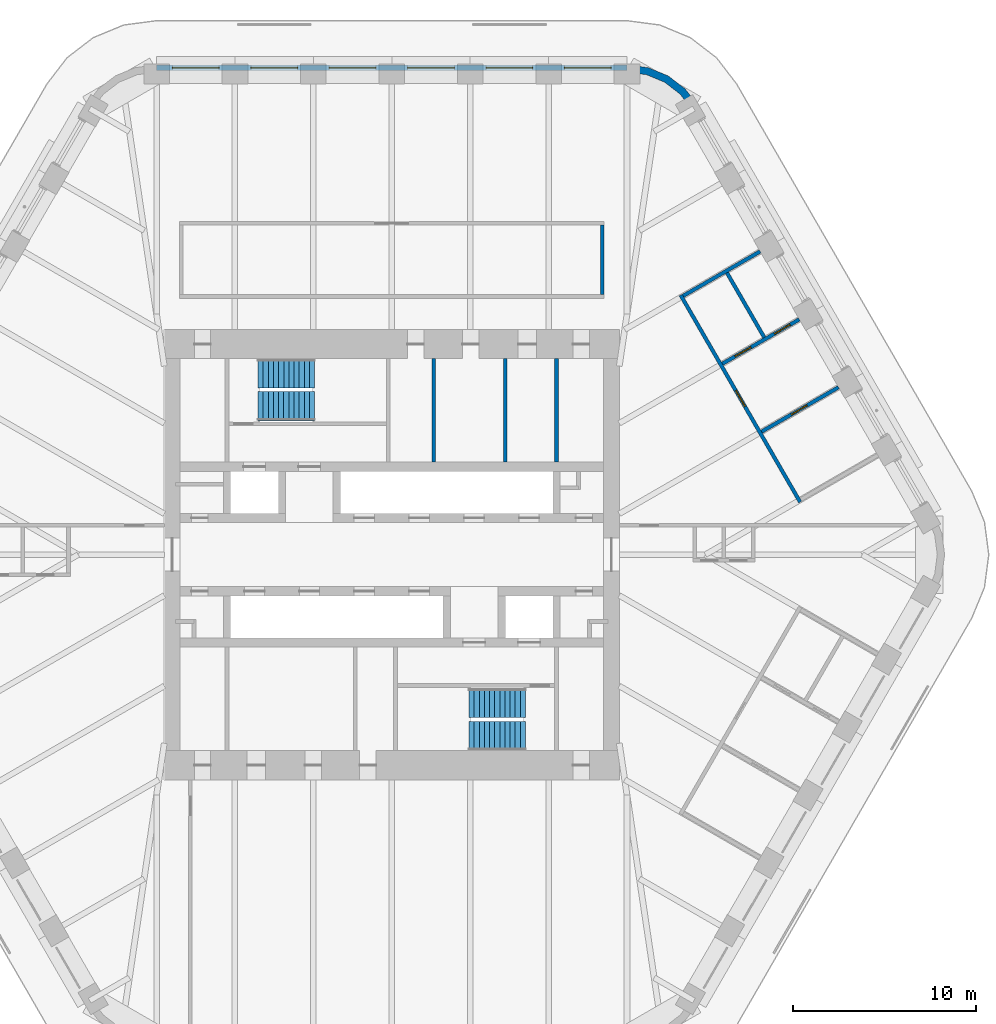
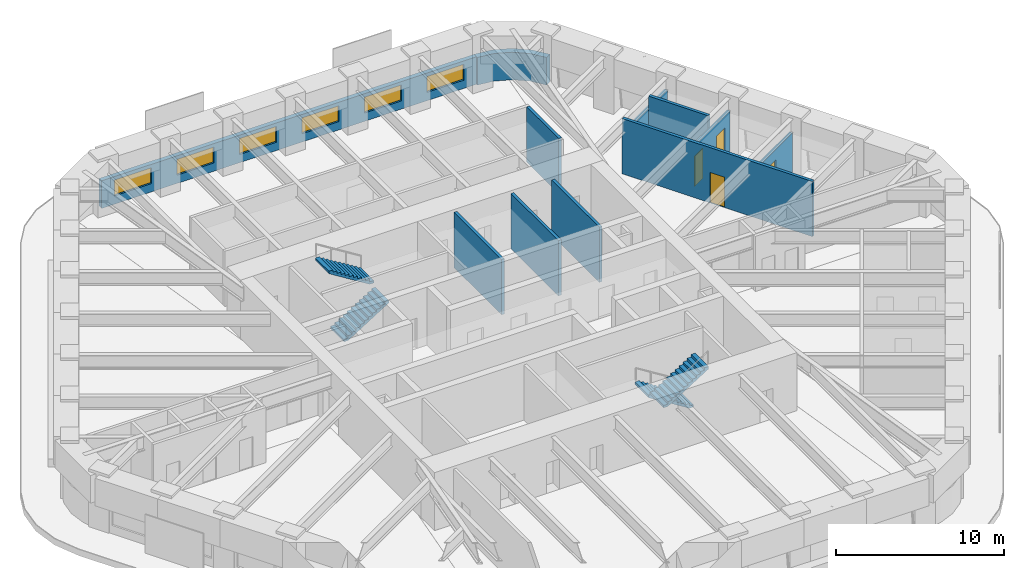
# One storey, part 16 of 18: 11 walls, 6 windows, 4 doors, 4 stair flights, 10 openings, 2 elements without a shape of their own.
"""IFC4 building model written with IfcOpenShell, lengths in metres."""

import ifcopenshell
import ifcopenshell.guid

model = None  # the IFC model being written
_history = None  # IfcOwnerHistory: only IFC2X3 demands one
_inside = {}  # id of a spatial element -> (the spatial element, [elements in it])
_under = {}  # id of a project, library or spatial element -> (it, [spatial elements below it])
_declared = {}  # id of a project -> (the project, [libraries it declares])
_typed = {}  # id of a type object -> (the type object, [elements of that type])
_made_of = {}  # id of a material, layer set ... -> (it, [elements and type objects made of it])


def new_model(schema):
    """Start an empty IFC model of exactly this schema.

    Asked for "IFC4X3", IfcOpenShell would pick the latest addendum, in which some entities
    have other attributes; the version numbers below select the first issue.
    IFC2X3 requires an IfcOwnerHistory on every rooted entity: one is made here for all.
    """
    global model, _history
    if schema == "IFC4X3":
        model = ifcopenshell.file(schema_version=(4, 3, 0, 0))
    else:
        model = ifcopenshell.file(schema=schema)
    _inside.clear()
    _under.clear()
    _declared.clear()
    _typed.clear()
    _made_of.clear()
    _history = None
    if model.schema == "IFC2X3":
        org = make("IfcOrganization", Name="unknown")
        user = make(
            "IfcPersonAndOrganization",
            ThePerson=make("IfcPerson", FamilyName="unknown"),
            TheOrganization=org,
        )
        app = make(
            "IfcApplication",
            ApplicationDeveloper=org,
            Version="unknown",
            ApplicationFullName="unknown",
            ApplicationIdentifier="unknown",
        )
        _history = make(
            "IfcOwnerHistory",
            OwningUser=user,
            OwningApplication=app,
            ChangeAction="ADDED",
            CreationDate=0,
        )
    return model


def make(cls, **values):
    """One entity of the class cls with the attributes given. An attribute that is None is left unset."""
    return model.create_entity(
        cls, **{name: value for name, value in values.items() if value is not None}
    )


def rooted(cls, **values):
    """An entity with a GlobalId (a new one), such as an element, a storey or a relation."""
    return make(cls, GlobalId=ifcopenshell.guid.new(), OwnerHistory=_history, **values)


def si_unit(unit_type, name, prefix=None):
    """IfcSIUnit, for example si_unit("LENGTHUNIT", "METRE", prefix="MILLI")."""
    return make("IfcSIUnit", UnitType=unit_type, Prefix=prefix, Name=name)


def assignment(units):
    """IfcUnitAssignment: the units of a project."""
    return None if units is None else make("IfcUnitAssignment", Units=units)


def point(xyz):
    """IfcCartesianPoint."""
    return None if xyz is None else make("IfcCartesianPoint", Coordinates=xyz)


def direction(xyz):
    """IfcDirection."""
    return None if xyz is None else make("IfcDirection", DirectionRatios=xyz)


def frame(location, z_axis=None, x_axis=None):
    """IfcAxis2Placement3D, a coordinate frame: its origin and axes. An axis left out is left unset."""
    return make(
        "IfcAxis2Placement3D",
        Location=point(location),
        Axis=direction(z_axis),
        RefDirection=direction(x_axis),
    )


def frame_2d(location, x_axis=None):
    """IfcAxis2Placement2D, a coordinate frame in the plane: its origin and x axis."""
    return make(
        "IfcAxis2Placement2D", Location=point(location), RefDirection=direction(x_axis)
    )


def origin():
    """The frame at (0, 0, 0) with its axes left unset."""
    return frame((0.0, 0.0, 0.0))


def place(relative_to, where):
    """IfcLocalPlacement: puts the frame where relative to a parent placement (None: the world)."""
    return make(
        "IfcLocalPlacement", PlacementRelTo=relative_to, RelativePlacement=where
    )


def context(
    kind, dimensions, precision=None, world=None, true_north=None, identifier=None
):
    """IfcGeometricRepresentationContext, for example the 3D "Model" context."""
    return make(
        "IfcGeometricRepresentationContext",
        ContextIdentifier=identifier,
        ContextType=kind,
        CoordinateSpaceDimension=dimensions,
        Precision=precision,
        WorldCoordinateSystem=world,
        TrueNorth=true_north,
    )


def subcontext(parent, identifier, kind, view, scale=None):
    """IfcGeometricRepresentationSubContext, for example "Body" below "Model"."""
    return make(
        "IfcGeometricRepresentationSubContext",
        ContextIdentifier=identifier,
        ContextType=kind,
        ParentContext=parent,
        TargetScale=scale,
        TargetView=view,
    )


def project(units=None, contexts=None):
    """IfcProject with its units and contexts."""
    return rooted(
        "IfcProject",
        Name="project",
        RepresentationContexts=contexts,
        UnitsInContext=assignment(units),
    )


def spatial(cls, under=None, at=None, **own):
    """A site, building, storey or space (cls), placed at a placement, below another one or the project."""
    s = rooted(cls, ObjectPlacement=at, **own)
    if under is not None:
        _under.setdefault(under.id(), (under, []))[1].append(s)
    return s


def polyline(points):
    """IfcPolyline through the points."""
    return make("IfcPolyline", Points=[point(p) for p in points])


def profile(cls, at=None, kind="AREA", **sizes):
    """A parametric profile (cls). Its sizes go by their IFC names, for example OverallWidth=200.0."""
    return make(cls, ProfileType=kind, Position=at, **sizes)


def rectangle(**sizes):
    """IfcRectangleProfileDef."""
    return profile("IfcRectangleProfileDef", **sizes)


def outline(outer, holes=None, kind="AREA"):
    """IfcArbitraryClosedProfileDef: a profile drawn as a closed curve; with holes, ...WithVoids."""
    if holes is None:
        return make("IfcArbitraryClosedProfileDef", ProfileType=kind, OuterCurve=outer)
    return make(
        "IfcArbitraryProfileDefWithVoids",
        ProfileType=kind,
        OuterCurve=outer,
        InnerCurves=holes,
    )


def extrude(swept, where, along, depth):
    """IfcExtrudedAreaSolid: the profile swept, set in the frame where, extruded along a direction by depth."""
    return make(
        "IfcExtrudedAreaSolid",
        SweptArea=swept,
        Position=where,
        ExtrudedDirection=direction(along),
        Depth=depth,
    )


def shape(context_of_items, identifier, shape_type, items):
    """IfcShapeRepresentation: the items that make up one representation, for example the "Body"."""
    return make(
        "IfcShapeRepresentation",
        ContextOfItems=context_of_items,
        RepresentationIdentifier=identifier,
        RepresentationType=shape_type,
        Items=items,
    )


def material(Name=None, Category=None):
    """IfcMaterial."""
    return make("IfcMaterial", Name=Name, Category=Category)


def layer(
    of_material, thickness, ventilated=None, Name=None, Category=None, Priority=None
):
    """IfcMaterialLayer: one layer of a wall or slab, of a material (None: an air gap)."""
    return make(
        "IfcMaterialLayer",
        Material=of_material,
        LayerThickness=thickness,
        IsVentilated=ventilated,
        Name=Name,
        Category=Category,
        Priority=Priority,
    )


def layer_set(layers, Name=None):
    """IfcMaterialLayerSet."""
    return make("IfcMaterialLayerSet", MaterialLayers=layers, LayerSetName=Name)


def made_of(thing, what):
    """Note that an element or type object is made of a material, layer set ...; save() writes the relation."""
    if what is not None:
        _made_of.setdefault(what.id(), (what, []))[1].append(thing)
    return thing


def type_object(cls, material=None, **own):
    """A type object (cls), such as IfcWallType, which elements share."""
    return made_of(rooted(cls, **own), material)


def element(
    cls,
    number,
    at=None,
    inside=None,
    cuts=None,
    type_object=None,
    material=None,
    context=None,
    identifier="Body",
    shape_type=None,
    held_by="IfcProductDefinitionShape",
    body=None,
    shapes=None,
    **own,
):
    """One element of the class cls, such as IfcWall. Its Tag is "e" and its number.

    at: its placement. inside: the storey or other place that contains it. cuts: it is an
    opening in that element (IfcRelVoidsElement). A single representation is given by context,
    identifier, shape_type and body (its items); several are given by shapes. held_by: the class
    of the entity that holds the representations. save() writes the other relations.
    """
    e = rooted(cls, Tag="e%d" % number, ObjectPlacement=at, **own)
    if body is not None:
        shapes = [shape(context, identifier, shape_type, body)]
    if shapes is not None:
        e.Representation = make(held_by, Representations=shapes)
    if inside is not None:
        _inside.setdefault(inside.id(), (inside, []))[1].append(e)
    if cuts is not None:
        rooted(
            "IfcRelVoidsElement", RelatingBuildingElement=cuts, RelatedOpeningElement=e
        )
    if type_object is not None:
        _typed.setdefault(type_object.id(), (type_object, []))[1].append(e)
    return made_of(e, material)


def fill(opening, filler):
    """IfcRelFillsElement: the door or window that sits in an opening."""
    return rooted(
        "IfcRelFillsElement",
        RelatingOpeningElement=opening,
        RelatedBuildingElement=filler,
    )


def aggregate(whole, parts):
    """IfcRelAggregates: a whole, such as a stair, and the parts it consists of."""
    return rooted("IfcRelAggregates", RelatingObject=whole, RelatedObjects=parts)


def save(model, path):
    """Write the relations noted so far, then the file.

    IfcRelAggregates (storeys below a building ...), IfcRelContainedInSpatialStructure (elements
    in a storey), IfcRelDefinesByType, IfcRelAssociatesMaterial and IfcRelDeclares: one each for
    every whole, place, type object, material and project.
    """
    for whole, parts in _under.values():
        aggregate(whole, parts)
    for where, things in _inside.values():
        rooted(
            "IfcRelContainedInSpatialStructure",
            RelatedElements=things,
            RelatingStructure=where,
        )
    for kind, things in _typed.values():
        rooted("IfcRelDefinesByType", RelatedObjects=things, RelatingType=kind)
    for what, things in _made_of.values():
        rooted("IfcRelAssociatesMaterial", RelatedObjects=things, RelatingMaterial=what)
    for by, libraries in _declared.values():
        rooted("IfcRelDeclares", RelatingContext=by, RelatedDefinitions=libraries)
    model.write(path)


model = new_model("IFC4")

# Units and contexts
model_context = context("Model", 3, precision=1e-05, world=origin(), true_north=direction((0.0, 1.0)))
body_context = subcontext(model_context, "Body", "Model", "MODEL_VIEW")
ifc_project = project(units=[si_unit("LENGTHUNIT", "METRE"), si_unit("AREAUNIT", "SQUARE_METRE"), si_unit("VOLUMEUNIT", "CUBIC_METRE"), si_unit("PLANEANGLEUNIT", "RADIAN"), si_unit("MASSUNIT", "GRAM", prefix="KILO")], contexts=[model_context])

# Site, building, storey
site_placement = place(None, origin())
site = spatial("IfcSite", under=ifc_project, at=site_placement, CompositionType="ELEMENT")
building_placement = place(site_placement, origin())
building = spatial("IfcBuilding", under=site, at=building_placement, Name="Tarfa Lantern Tower", CompositionType="ELEMENT")
storey_placement = place(building_placement, frame((0.0, 0.0, 315.699951171875)))
storey = spatial("IfcBuildingStorey", under=building, at=storey_placement, Name="L71", CompositionType="ELEMENT", Elevation=315.699951171875)

# Wall, openings, windows
ifc_material_1 = material(Name="Limestone cladding on blockwork", Category="masonry")
ifc_layer_1 = layer(ifc_material_1, 0.300048828125)
ifc_layer_set_1 = layer_set([ifc_layer_1], Name="EW1 STONE-CLAD WALL 300")
wall_type_1 = type_object("IfcWallType", Name="EW1 STONE-CLAD WALL 300", PredefinedType="SOLIDWALL", material=ifc_layer_set_1)
wall_1_placement = place(storey_placement, frame((12.845947265625, 26.60009765625, 0.0), z_axis=(0.0, 0.0, 1.0), x_axis=(-1.0, 0.0, 0.0)))
wall_1 = element("IfcWall", 1, at=wall_1_placement, inside=storey, type_object=wall_type_1, Name="Stone wall N", PredefinedType="SOLIDWALL", context=body_context, shape_type="SweptSolid", body=[
    extrude(rectangle(XDim=25.69189453125, YDim=0.300048828125, at=frame_2d((12.845947265625, 0.0))), origin(), (0.0, 0.0, 1.0), 2.0),
])
opening_1_placement = place(wall_1_placement, frame((0.865966796875, 0.0, 0.60009765625)))
opening_1 = element("IfcOpeningElement", 2, at=opening_1_placement, cuts=wall_1, Name="Opening W16", PredefinedType="OPENING", context=body_context, shape_type="SweptSolid", body=[
    extrude(rectangle(XDim=2.550048828125, YDim=1.14990234375, at=frame_2d((1.27490234375, 0.574951171875))), frame((0.0, 0.159912109375, 0.0), z_axis=(0.0, -1.0, 0.0), x_axis=(1.0, 0.0, 0.0)), (0.0, 0.0, 1.0), 0.320068359375),
])
opening_2_placement = place(wall_1_placement, frame((5.14794921875, 0.0, 0.60009765625)))
opening_2 = element("IfcOpeningElement", 3, at=opening_2_placement, cuts=wall_1, Name="Opening W16", PredefinedType="OPENING", context=body_context, shape_type="SweptSolid", body=[
    extrude(rectangle(XDim=2.550048828125, YDim=1.14990234375, at=frame_2d((1.27490234375, 0.574951171875))), frame((0.0, 0.159912109375, 0.0), z_axis=(0.0, -1.0, 0.0), x_axis=(1.0, 0.0, 0.0)), (0.0, 0.0, 1.0), 0.320068359375),
])
opening_3_placement = place(wall_1_placement, frame((9.429931640625, 0.0, 0.60009765625)))
opening_3 = element("IfcOpeningElement", 4, at=opening_3_placement, cuts=wall_1, Name="Opening W16", PredefinedType="OPENING", context=body_context, shape_type="SweptSolid", body=[
    extrude(rectangle(XDim=2.550048828125, YDim=1.14990234375, at=frame_2d((1.27490234375, 0.574951171875))), frame((0.0, 0.159912109375, 0.0), z_axis=(0.0, -1.0, 0.0), x_axis=(1.0, 0.0, 0.0)), (0.0, 0.0, 1.0), 0.320068359375),
])
opening_4_placement = place(wall_1_placement, frame((13.712158203125, 0.0, 0.60009765625)))
opening_4 = element("IfcOpeningElement", 5, at=opening_4_placement, cuts=wall_1, Name="Opening W16", PredefinedType="OPENING", context=body_context, shape_type="SweptSolid", body=[
    extrude(rectangle(XDim=2.550048828125, YDim=1.14990234375, at=frame_2d((1.27490234375, 0.574951171875))), frame((0.0, 0.159912109375, 0.0), z_axis=(0.0, -1.0, 0.0), x_axis=(1.0, 0.0, 0.0)), (0.0, 0.0, 1.0), 0.320068359375),
])
opening_5_placement = place(wall_1_placement, frame((17.994140625, 0.0, 0.60009765625)))
opening_5 = element("IfcOpeningElement", 6, at=opening_5_placement, cuts=wall_1, Name="Opening W16", PredefinedType="OPENING", context=body_context, shape_type="SweptSolid", body=[
    extrude(rectangle(XDim=2.550048828125, YDim=1.14990234375, at=frame_2d((1.27490234375, 0.574951171875))), frame((0.0, 0.159912109375, 0.0), z_axis=(0.0, -1.0, 0.0), x_axis=(1.0, 0.0, 0.0)), (0.0, 0.0, 1.0), 0.320068359375),
])
opening_6_placement = place(wall_1_placement, frame((22.276123046875, 0.0, 0.60009765625)))
opening_6 = element("IfcOpeningElement", 7, at=opening_6_placement, cuts=wall_1, Name="Opening W16", PredefinedType="OPENING", context=body_context, shape_type="SweptSolid", body=[
    extrude(rectangle(XDim=2.550048828125, YDim=1.14990234375, at=frame_2d((1.27490234375, 0.574951171875))), frame((0.0, 0.159912109375, 0.0), z_axis=(0.0, -1.0, 0.0), x_axis=(1.0, 0.0, 0.0)), (0.0, 0.0, 1.0), 0.320068359375),
])
ifc_material_2 = material(Name="Aluminium frame, double glazed", Category="aluminium")
window_type = type_object("IfcWindowType", Name="W16 FULL-HEIGHT GLAZING 2550x1150", PartitioningType="SINGLE_PANEL", PredefinedType="WINDOW", material=ifc_material_2)
window_1_placement = place(opening_1_placement, origin())
window_1 = element("IfcWindow", 8, at=window_1_placement, inside=storey, type_object=window_type, Name="Window N 1", OverallHeight=1.14990234375, OverallWidth=2.550048828125, PartitioningType="SINGLE_PANEL", PredefinedType="WINDOW", context=body_context, shape_type="SweptSolid", body=[
    extrude(rectangle(XDim=2.550048828125, YDim=1.14990234375, at=frame_2d((1.27490234375, 0.574951171875))), frame((0.0, 0.030029296875, 0.0), z_axis=(0.0, -1.0, 0.0), x_axis=(1.0, 0.0, 0.0)), (0.0, 0.0, 1.0), 0.06005859375),
])
fill(opening_1, window_1)
window_2_placement = place(opening_2_placement, origin())
window_2 = element("IfcWindow", 9, at=window_2_placement, inside=storey, type_object=window_type, Name="Window N 2", OverallHeight=1.14990234375, OverallWidth=2.550048828125, PartitioningType="SINGLE_PANEL", PredefinedType="WINDOW", context=body_context, shape_type="SweptSolid", body=[
    extrude(rectangle(XDim=2.550048828125, YDim=1.14990234375, at=frame_2d((1.27490234375, 0.574951171875))), frame((0.0, 0.030029296875, 0.0), z_axis=(0.0, -1.0, 0.0), x_axis=(1.0, 0.0, 0.0)), (0.0, 0.0, 1.0), 0.06005859375),
])
fill(opening_2, window_2)
window_3_placement = place(opening_3_placement, origin())
window_3 = element("IfcWindow", 10, at=window_3_placement, inside=storey, type_object=window_type, Name="Window N 3", OverallHeight=1.14990234375, OverallWidth=2.550048828125, PartitioningType="SINGLE_PANEL", PredefinedType="WINDOW", context=body_context, shape_type="SweptSolid", body=[
    extrude(rectangle(XDim=2.550048828125, YDim=1.14990234375, at=frame_2d((1.27490234375, 0.574951171875))), frame((0.0, 0.030029296875, 0.0), z_axis=(0.0, -1.0, 0.0), x_axis=(1.0, 0.0, 0.0)), (0.0, 0.0, 1.0), 0.06005859375),
])
fill(opening_3, window_3)
window_4_placement = place(opening_4_placement, origin())
window_4 = element("IfcWindow", 11, at=window_4_placement, inside=storey, type_object=window_type, Name="Window N 4", OverallHeight=1.14990234375, OverallWidth=2.550048828125, PartitioningType="SINGLE_PANEL", PredefinedType="WINDOW", context=body_context, shape_type="SweptSolid", body=[
    extrude(rectangle(XDim=2.550048828125, YDim=1.14990234375, at=frame_2d((1.27490234375, 0.574951171875))), frame((0.0, 0.030029296875, 0.0), z_axis=(0.0, -1.0, 0.0), x_axis=(1.0, 0.0, 0.0)), (0.0, 0.0, 1.0), 0.06005859375),
])
fill(opening_4, window_4)
window_5_placement = place(opening_5_placement, origin())
window_5 = element("IfcWindow", 12, at=window_5_placement, inside=storey, type_object=window_type, Name="Window N 5", OverallHeight=1.14990234375, OverallWidth=2.550048828125, PartitioningType="SINGLE_PANEL", PredefinedType="WINDOW", context=body_context, shape_type="SweptSolid", body=[
    extrude(rectangle(XDim=2.550048828125, YDim=1.14990234375, at=frame_2d((1.27490234375, 0.574951171875))), frame((0.0, 0.030029296875, 0.0), z_axis=(0.0, -1.0, 0.0), x_axis=(1.0, 0.0, 0.0)), (0.0, 0.0, 1.0), 0.06005859375),
])
fill(opening_5, window_5)
window_6_placement = place(opening_6_placement, origin())
window_6 = element("IfcWindow", 13, at=window_6_placement, inside=storey, type_object=window_type, Name="Window N 6", OverallHeight=1.14990234375, OverallWidth=2.550048828125, PartitioningType="SINGLE_PANEL", PredefinedType="WINDOW", context=body_context, shape_type="SweptSolid", body=[
    extrude(rectangle(XDim=2.550048828125, YDim=1.14990234375, at=frame_2d((1.27490234375, 0.574951171875))), frame((0.0, 0.030029296875, 0.0), z_axis=(0.0, -1.0, 0.0), x_axis=(1.0, 0.0, 0.0)), (0.0, 0.0, 1.0), 0.06005859375),
])
fill(opening_6, window_6)

# Walls
ifc_layer_2 = layer(ifc_material_1, 0.39990234375)
ifc_layer_set_2 = layer_set([ifc_layer_2], Name="EW2 CURVED STONE CORNER 400")
wall_type_2 = type_object("IfcWallType", Name="EW2 CURVED STONE CORNER 400", PredefinedType="SOLIDWALL", material=ifc_layer_set_2)
wall_2_placement = place(storey_placement, origin())
element("IfcWall", 14, at=wall_2_placement, inside=storey, type_object=wall_type_2, Name="Stone corner NE-N", PredefinedType="SOLIDWALL", context=body_context, shape_type="SweptSolid", body=[
    extrude(outline(polyline([(16.7431640625, 24.5), (16.028076171875, 25.431884765625), (15.095947265625, 26.147216796875), (14.0107421875, 26.5966796875), (12.845947265625, 26.75), (12.845947265625, 26.35009765625), (13.9072265625, 26.210205078125), (14.89599609375, 25.80078125), (15.7451171875, 25.149169921875), (16.396728515625, 24.300048828125), (16.7431640625, 24.5)])), origin(), (0.0, 0.0, 1.0), 2.0),
])
ifc_material_3 = material(Name="Concrete blockwork", Category="masonry")
ifc_layer_3 = layer(ifc_material_3, 0.199951171875)
ifc_layer_set_3 = layer_set([ifc_layer_3], Name="IW1 BLOCKWORK PARTITION 200 EI 120")
wall_type_3 = type_object("IfcWallType", Name="IW1 BLOCKWORK PARTITION 200 EI 120", PredefinedType="PARTITIONING", material=ifc_layer_set_3)
for number, where, z_axis, x_axis, name in (
    (15, (9.0, 5.050048828125, 0.0), (0.0, 0.0, 1.0), (0.0, 1.0, 0.0), "Core partition"),
    (16, (2.300048828125, 5.050048828125, 0.0), (0.0, 0.0, 1.0), (0.0, 1.0, 0.0), "Core partition"),
    (17, (6.199951171875, 5.050048828125, 0.0), (0.0, 0.0, 1.0), (0.0, 1.0, 0.0), "Core partition"),
):
    element("IfcWall", number, at=place(storey_placement, frame(where, z_axis=z_axis, x_axis=x_axis)), inside=storey, type_object=wall_type_3, Name=name, PredefinedType="PARTITIONING", context=body_context, shape_type="SweptSolid", body=[
        extrude(rectangle(XDim=5.64990234375, YDim=0.199951171875, at=frame_2d((2.824951171875, 0.0))), origin(), (0.0, 0.0, 1.0), 4.0),
    ])
ifc_material_4 = material(Name="Gypsum board on steel studs", Category="steel")
ifc_layer_4 = layer(ifc_material_4, 0.2099609375)
ifc_layer_set_4 = layer_set([ifc_layer_4], Name="IW2 ACOUSTIC PARTITION 200")
wall_type_4 = type_object("IfcWallType", Name="IW2 ACOUSTIC PARTITION 200", PredefinedType="PARTITIONING", material=ifc_layer_set_4)
wall_3_placement = place(storey_placement, frame((11.5, 14.199951171875, 0.0), z_axis=(0.0, 0.0, 1.0), x_axis=(0.0, 1.0, 0.0)))
element("IfcWall", 18, at=wall_3_placement, inside=storey, type_object=wall_type_4, Name="Partition", PredefinedType="PARTITIONING", context=body_context, shape_type="SweptSolid", body=[
    extrude(rectangle(XDim=3.800048828125, YDim=0.199951171875, at=frame_2d((1.89990234375, 0.0))), origin(), (0.0, 0.0, 1.0), 4.0),
])

# Wall, opening, door
wall_4_placement = place(storey_placement, frame((22.302001953125, 2.871826171875, 0.0), z_axis=(0.0, 0.0, 1.0), x_axis=(-0.499999460936, 0.866025715013, 0.0)))
wall_4 = element("IfcWall", 19, at=wall_4_placement, inside=storey, type_object=wall_type_4, Name="Partition", PredefinedType="PARTITIONING", context=body_context, shape_type="SweptSolid", body=[
    extrude(rectangle(XDim=13.0458984375, YDim=0.199951171875, at=frame_2d((6.52294921875, 0.0))), origin(), (0.0, 0.0, 1.0), 4.0),
])
opening_7_placement = place(wall_4_placement, frame((6.02294921875, 0.0, 0.0)))
opening_7 = element("IfcOpeningElement", 20, at=opening_7_placement, cuts=wall_4, Name="Opening D22", PredefinedType="OPENING", context=body_context, shape_type="SweptSolid", body=[
    extrude(rectangle(XDim=1.0, YDim=2.199951171875, at=frame_2d((0.5, 1.10009765625))), frame((0.0, 0.10986328125, 0.0), z_axis=(0.0, -1.0, 0.0), x_axis=(1.0, 0.0, 0.0)), (0.0, 0.0, 1.0), 0.219970703125),
])
ifc_material_5 = material(Name="Timber door", Category="wood")
door_type = type_object("IfcDoorType", Name="DR1 ROOM DOOR 1000x2200", OperationType="SINGLE_SWING_LEFT", PredefinedType="DOOR", material=ifc_material_5)
door_1_placement = place(opening_7_placement, frame((1.0, 0.0, 0.0), z_axis=(0.0, 0.0, 1.0), x_axis=(-1.0, 0.0, 0.0)))
door_1 = element("IfcDoor", 21, at=door_1_placement, inside=storey, type_object=door_type, Name="PA area door", OperationType="SINGLE_SWING_LEFT", OverallHeight=2.199951171875, OverallWidth=1.0, PredefinedType="DOOR", context=body_context, shape_type="SweptSolid", body=[
    extrude(rectangle(XDim=1.0, YDim=2.199951171875, at=frame_2d((0.5, 1.10009765625))), frame((0.0, 0.02490234375, 0.0), z_axis=(0.0, -1.0, 0.0), x_axis=(1.0, 0.0, 0.0)), (0.0, 0.0, 1.0), 0.050048828125),
])
fill(opening_7, door_1)

wall_5_placement = place(storey_placement, frame((20.19775390625, 6.716552734375, 0.0), z_axis=(0.0, 0.0, 1.0), x_axis=(0.866019606374, 0.500010041276, 0.0)))
wall_5 = element("IfcWall", 22, at=wall_5_placement, inside=storey, type_object=wall_type_4, Name="Partition", PredefinedType="PARTITIONING", context=body_context, shape_type="SweptSolid", body=[
    extrude(rectangle(XDim=4.85009765625, YDim=0.199951171875, at=frame_2d((2.425048828125, 0.0))), origin(), (0.0, 0.0, 1.0), 2.991943359375),
])
opening_8_placement = place(wall_5_placement, frame((1.875, 0.0, 0.0)))
opening_8 = element("IfcOpeningElement", 23, at=opening_8_placement, cuts=wall_5, Name="Opening D21", PredefinedType="OPENING", context=body_context, shape_type="SweptSolid", body=[
    extrude(rectangle(XDim=1.0, YDim=2.199951171875, at=frame_2d((0.5, 1.10009765625))), frame((0.0, 0.10986328125, 0.0), z_axis=(0.0, -1.0, 0.0), x_axis=(1.0, 0.0, 0.0)), (0.0, 0.0, 1.0), 0.219970703125),
])
door_2_placement = place(opening_8_placement, frame((1.0, 0.0, 0.0), z_axis=(0.0, 0.0, 1.0), x_axis=(-1.0, 0.0, 0.0)))
door_2 = element("IfcDoor", 24, at=door_2_placement, inside=storey, type_object=door_type, Name="Executive office door", OperationType="SINGLE_SWING_LEFT", OverallHeight=2.199951171875, OverallWidth=1.0, PredefinedType="DOOR", context=body_context, shape_type="SweptSolid", body=[
    extrude(rectangle(XDim=1.0, YDim=2.199951171875, at=frame_2d((0.5, 1.10009765625))), frame((0.0, 0.02490234375, 0.0), z_axis=(0.0, -1.0, 0.0), x_axis=(1.0, 0.0, 0.0)), (0.0, 0.0, 1.0), 0.050048828125),
])
fill(opening_8, door_2)

# Wall, openings, doors
wall_6_placement = place(storey_placement, frame((18.056640625, 10.425048828125, 0.0), z_axis=(0.0, 0.0, 1.0), x_axis=(0.866019606374, 0.500010041276, 0.0)))
wall_6 = element("IfcWall", 25, at=wall_6_placement, inside=storey, type_object=wall_type_4, Name="Partition", PredefinedType="PARTITIONING", context=body_context, shape_type="SweptSolid", body=[
    extrude(rectangle(XDim=4.85009765625, YDim=0.199951171875, at=frame_2d((2.425048828125, 0.0))), origin(), (0.0, 0.0, 1.0), 3.08154296875),
])
opening_9_placement = place(wall_6_placement, frame((0.800048828125, 0.0, 0.0)))
opening_9 = element("IfcOpeningElement", 26, at=opening_9_placement, cuts=wall_6, Name="Opening D23", PredefinedType="OPENING", context=body_context, shape_type="SweptSolid", body=[
    extrude(rectangle(XDim=1.0, YDim=2.199951171875, at=frame_2d((0.5, 1.10009765625))), frame((0.0, 0.10986328125, 0.0), z_axis=(0.0, -1.0, 0.0), x_axis=(1.0, 0.0, 0.0)), (0.0, 0.0, 1.0), 0.219970703125),
])
opening_10_placement = place(wall_6_placement, frame((3.27490234375, 0.0, 0.0)))
opening_10 = element("IfcOpeningElement", 27, at=opening_10_placement, cuts=wall_6, Name="Opening D24", PredefinedType="OPENING", context=body_context, shape_type="SweptSolid", body=[
    extrude(rectangle(XDim=1.0, YDim=2.199951171875, at=frame_2d((0.5, 1.10009765625))), frame((0.0, 0.10986328125, 0.0), z_axis=(0.0, -1.0, 0.0), x_axis=(1.0, 0.0, 0.0)), (0.0, 0.0, 1.0), 0.219970703125),
])
door_3_placement = place(opening_9_placement, origin())
door_3 = element("IfcDoor", 28, at=door_3_placement, inside=storey, type_object=door_type, Name="Meeting room door", OperationType="SINGLE_SWING_RIGHT", OverallHeight=2.199951171875, OverallWidth=1.0, PredefinedType="DOOR", context=body_context, shape_type="SweptSolid", body=[
    extrude(rectangle(XDim=1.0, YDim=2.199951171875, at=frame_2d((0.5, 1.10009765625))), frame((0.0, 0.02490234375, 0.0), z_axis=(0.0, -1.0, 0.0), x_axis=(1.0, 0.0, 0.0)), (0.0, 0.0, 1.0), 0.050048828125),
])
fill(opening_9, door_3)
door_4_placement = place(opening_10_placement, origin())
door_4 = element("IfcDoor", 29, at=door_4_placement, inside=storey, type_object=door_type, Name="Private lounge door", OperationType="SINGLE_SWING_RIGHT", OverallHeight=2.199951171875, OverallWidth=1.0, PredefinedType="DOOR", context=body_context, shape_type="SweptSolid", body=[
    extrude(rectangle(XDim=1.0, YDim=2.199951171875, at=frame_2d((0.5, 1.10009765625))), frame((0.0, 0.02490234375, 0.0), z_axis=(0.0, -1.0, 0.0), x_axis=(1.0, 0.0, 0.0)), (0.0, 0.0, 1.0), 0.050048828125),
])
fill(opening_10, door_4)

# Walls
wall_7_placement = place(storey_placement, frame((15.91552734375, 14.13330078125, 0.0), z_axis=(0.0, 0.0, 1.0), x_axis=(0.866032190624, 0.499988244665, 0.0)))
element("IfcWall", 30, at=wall_7_placement, inside=storey, type_object=wall_type_4, Name="Partition", PredefinedType="PARTITIONING", context=body_context, shape_type="SweptSolid", body=[
    extrude(rectangle(XDim=4.85009765625, YDim=0.199951171875, at=frame_2d((2.425048828125, 0.0))), origin(), (0.0, 0.0, 1.0), 3.08154296875),
])
wall_8_placement = place(storey_placement, frame((20.344970703125, 11.861572265625, 0.0), z_axis=(0.0, 0.0, 1.0), x_axis=(-0.499998569178, 0.866026229868, 0.0)))
element("IfcWall", 31, at=wall_8_placement, inside=storey, type_object=wall_type_4, Name="Partition", PredefinedType="PARTITIONING", context=body_context, shape_type="SweptSolid", body=[
    extrude(rectangle(XDim=4.08203125, YDim=0.199951171875, at=frame_2d((2.041015625, 0.0))), origin(), (0.0, 0.0, 1.0), 4.0),
])

# Stair, stair flights
ifc_material_6 = material(Name="Concrete C40/50", Category="concrete")
stair_type = type_object("IfcStairType", Name="ST-T10 HALF-TURN STAIR 4200 RISE", PredefinedType="HALF_TURN_STAIR", material=ifc_material_6)
stair_1_placement = place(storey_placement, origin())
stair_1 = element("IfcStair", 32, at=stair_1_placement, inside=storey, type_object=stair_type, Name="Stair ST1", PredefinedType="HALF_TURN_STAIR")
stair_flight_type = type_object("IfcStairFlightType", Name="SF1 STAIR FLIGHT", PredefinedType="STRAIGHT", material=ifc_material_6)
stair_flight_1_placement = place(storey_placement, frame((-7.300048828125, 8.10009765625, 0.0), z_axis=(0.0, 0.0, 1.0), x_axis=(1.0, 0.0, 0.0)))
stair_flight_1 = element("IfcStairFlight", 33, at=stair_flight_1_placement, type_object=stair_flight_type, Name="ST1 flight 1", NumberOfRisers=12, NumberOfTreads=11, PredefinedType="STRAIGHT", RiserHeight=0.175, TreadLength=0.28, context=body_context, shape_type="SweptSolid", body=[
    extrude(outline(polyline([(0.0, 0.0), (0.0, 0.175048828125), (0.280029296875, 0.175048828125), (0.280029296875, 0.35009765625), (0.56005859375, 0.35009765625), (0.56005859375, 0.52490234375), (0.840087890625, 0.52490234375), (0.840087890625, 0.699951171875), (1.1201171875, 0.699951171875), (1.1201171875, 0.875), (1.39990234375, 0.875), (1.39990234375, 1.050048828125), (1.679931640625, 1.050048828125), (1.679931640625, 1.22509765625), (1.9599609375, 1.22509765625), (1.9599609375, 1.39990234375), (2.239990234375, 1.39990234375), (2.239990234375, 1.574951171875), (2.52001953125, 1.574951171875), (2.52001953125, 1.75), (2.800048828125, 1.75), (2.800048828125, 1.925048828125), (3.080078125, 1.925048828125), (3.080078125, 2.10009765625), (3.080078125, 1.748291015625), (0.28271484375, 0.0), (0.0, 0.0)])), frame((0.0, 0.800048828125, 0.0), z_axis=(0.0, -1.0, 0.0), x_axis=(1.0, 0.0, 0.0)), (0.0, 0.0, 1.0), 1.60009765625),
])
stair_flight_2_placement = place(storey_placement, frame((-4.219970703125, 9.89990234375, 2.10009765625), z_axis=(0.0, 0.0, 1.0), x_axis=(-1.0, 0.0, 0.0)))
stair_flight_2 = element("IfcStairFlight", 34, at=stair_flight_2_placement, type_object=stair_flight_type, Name="ST1 flight 2", NumberOfRisers=12, NumberOfTreads=11, PredefinedType="STRAIGHT", RiserHeight=0.175, TreadLength=0.28, context=body_context, shape_type="SweptSolid", body=[
    extrude(outline(polyline([(0.0, 0.0), (0.0, 0.175048828125), (0.280029296875, 0.175048828125), (0.280029296875, 0.35009765625), (0.56005859375, 0.35009765625), (0.56005859375, 0.52490234375), (0.840087890625, 0.52490234375), (0.840087890625, 0.699951171875), (1.1201171875, 0.699951171875), (1.1201171875, 0.875), (1.39990234375, 0.875), (1.39990234375, 1.050048828125), (1.679931640625, 1.050048828125), (1.679931640625, 1.22509765625), (1.9599609375, 1.22509765625), (1.9599609375, 1.39990234375), (2.239990234375, 1.39990234375), (2.239990234375, 1.574951171875), (2.52001953125, 1.574951171875), (2.52001953125, 1.75), (2.800048828125, 1.75), (2.800048828125, 1.925048828125), (3.080078125, 1.925048828125), (3.080078125, 2.10009765625), (3.080078125, 1.748291015625), (0.28271484375, 0.0), (0.0, 0.0)])), frame((0.0, 0.800048828125, 0.0), z_axis=(0.0, -1.0, 0.0), x_axis=(1.0, 0.0, 0.0)), (0.0, 0.0, 1.0), 1.60009765625),
])
aggregate(stair_1, [stair_flight_1, stair_flight_2])

stair_2_placement = place(storey_placement, origin())
stair_2 = element("IfcStair", 35, at=stair_2_placement, inside=storey, type_object=stair_type, Name="Stair ST2", PredefinedType="HALF_TURN_STAIR")
stair_flight_3_placement = place(storey_placement, frame((7.300048828125, -8.10009765625, 0.0), z_axis=(0.0, 0.0, 1.0), x_axis=(-1.0, 0.0, 0.0)))
stair_flight_3 = element("IfcStairFlight", 36, at=stair_flight_3_placement, type_object=stair_flight_type, Name="ST2 flight 1", NumberOfRisers=12, NumberOfTreads=11, PredefinedType="STRAIGHT", RiserHeight=0.175, TreadLength=0.28, context=body_context, shape_type="SweptSolid", body=[
    extrude(outline(polyline([(0.0, 0.0), (0.0, 0.175048828125), (0.280029296875, 0.175048828125), (0.280029296875, 0.35009765625), (0.56005859375, 0.35009765625), (0.56005859375, 0.52490234375), (0.840087890625, 0.52490234375), (0.840087890625, 0.699951171875), (1.1201171875, 0.699951171875), (1.1201171875, 0.875), (1.39990234375, 0.875), (1.39990234375, 1.050048828125), (1.679931640625, 1.050048828125), (1.679931640625, 1.22509765625), (1.9599609375, 1.22509765625), (1.9599609375, 1.39990234375), (2.239990234375, 1.39990234375), (2.239990234375, 1.574951171875), (2.52001953125, 1.574951171875), (2.52001953125, 1.75), (2.800048828125, 1.75), (2.800048828125, 1.925048828125), (3.080078125, 1.925048828125), (3.080078125, 2.10009765625), (3.080078125, 1.748291015625), (0.28271484375, 0.0), (0.0, 0.0)])), frame((0.0, 0.800048828125, 0.0), z_axis=(0.0, -1.0, 0.0), x_axis=(1.0, 0.0, 0.0)), (0.0, 0.0, 1.0), 1.60009765625),
])
stair_flight_4_placement = place(storey_placement, frame((4.219970703125, -9.89990234375, 2.10009765625), z_axis=(0.0, 0.0, 1.0), x_axis=(1.0, 0.0, 0.0)))
stair_flight_4 = element("IfcStairFlight", 37, at=stair_flight_4_placement, type_object=stair_flight_type, Name="ST2 flight 2", NumberOfRisers=12, NumberOfTreads=11, PredefinedType="STRAIGHT", RiserHeight=0.175, TreadLength=0.28, context=body_context, shape_type="SweptSolid", body=[
    extrude(outline(polyline([(0.0, 0.0), (0.0, 0.175048828125), (0.280029296875, 0.175048828125), (0.280029296875, 0.35009765625), (0.56005859375, 0.35009765625), (0.56005859375, 0.52490234375), (0.840087890625, 0.52490234375), (0.840087890625, 0.699951171875), (1.1201171875, 0.699951171875), (1.1201171875, 0.875), (1.39990234375, 0.875), (1.39990234375, 1.050048828125), (1.679931640625, 1.050048828125), (1.679931640625, 1.22509765625), (1.9599609375, 1.22509765625), (1.9599609375, 1.39990234375), (2.239990234375, 1.39990234375), (2.239990234375, 1.574951171875), (2.52001953125, 1.574951171875), (2.52001953125, 1.75), (2.800048828125, 1.75), (2.800048828125, 1.925048828125), (3.080078125, 1.925048828125), (3.080078125, 2.10009765625), (3.080078125, 1.748291015625), (0.28271484375, 0.0), (0.0, 0.0)])), frame((0.0, 0.800048828125, 0.0), z_axis=(0.0, -1.0, 0.0), x_axis=(1.0, 0.0, 0.0)), (0.0, 0.0, 1.0), 1.60009765625),
])
aggregate(stair_2, [stair_flight_3, stair_flight_4])

save(model, "model.ifc")
